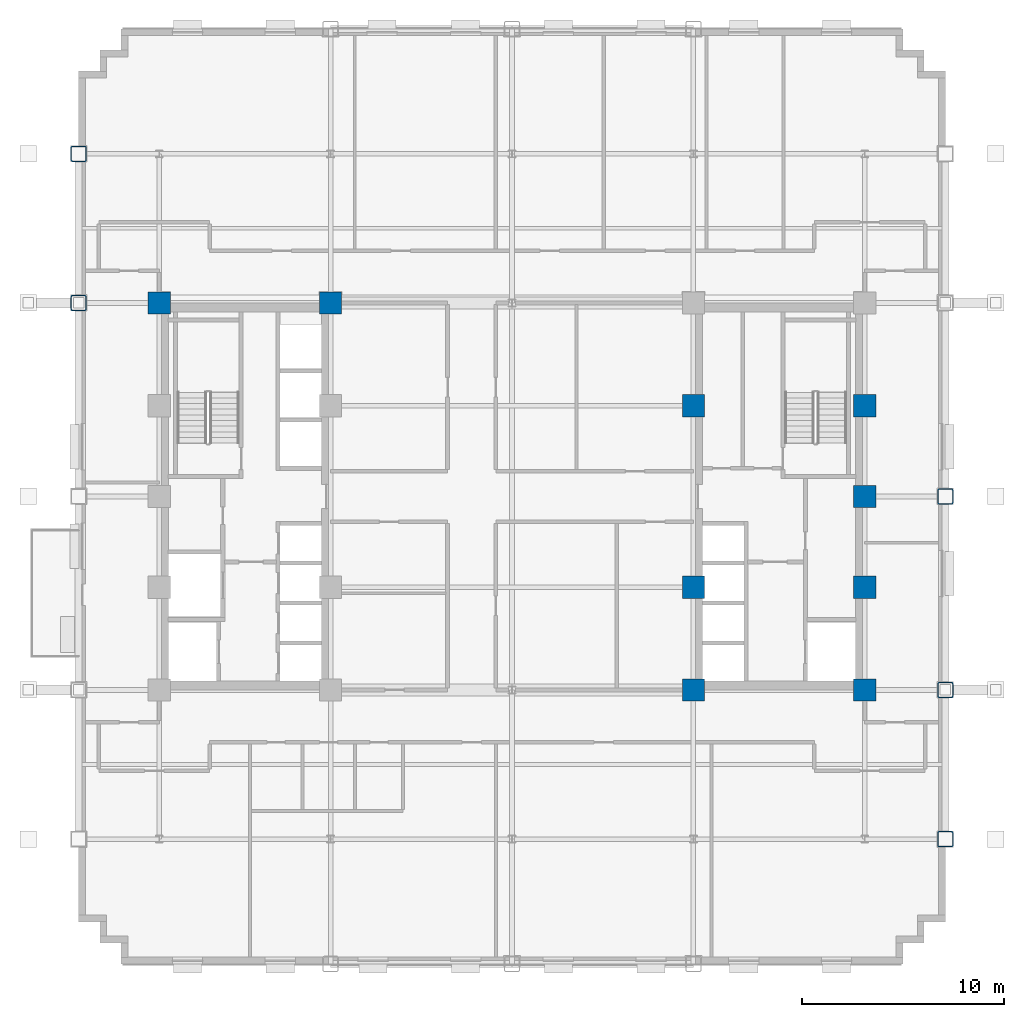
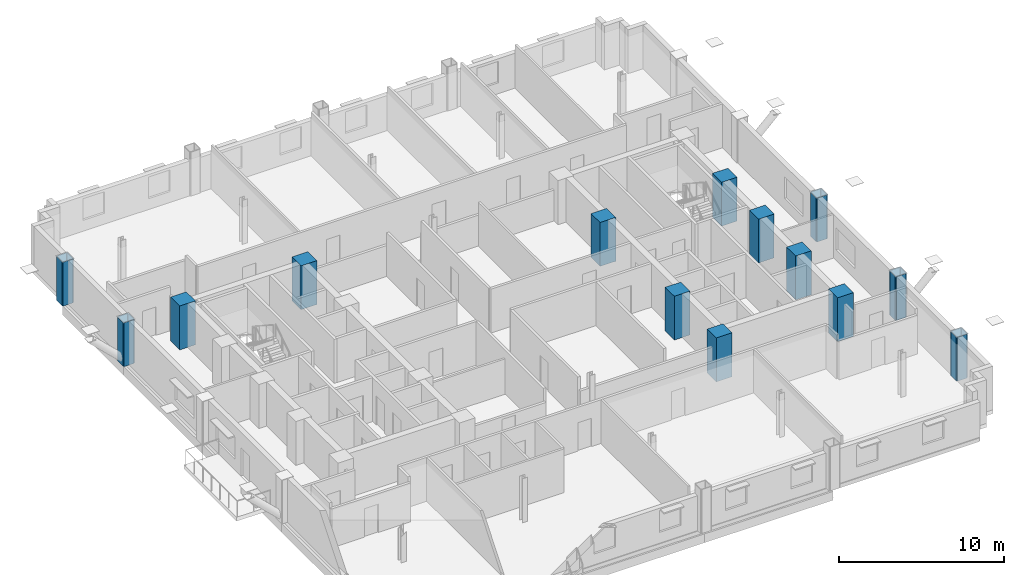
# One storey, part 2 of 13: 14 columns.
"""IFC4 building model written with IfcOpenShell, lengths in metres."""

from ifc_helpers import new_model, si_unit, direction, frame, origin, origin_2d, place, context, subcontext, project, spatial, rectangle, hollow_rectangle, extrude, material, material_profile, profile_set, type_object, element, save


model = new_model("IFC4")

# Units and contexts
model_context = context("Model", 3, precision=1e-05, world=origin(), true_north=direction((0.0, 1.0)))
body_context = subcontext(model_context, "Body", "Model", "MODEL_VIEW")
ifc_project = project(units=[si_unit("LENGTHUNIT", "METRE"), si_unit("AREAUNIT", "SQUARE_METRE"), si_unit("VOLUMEUNIT", "CUBIC_METRE"), si_unit("PLANEANGLEUNIT", "RADIAN"), si_unit("MASSUNIT", "GRAM", prefix="KILO")], contexts=[model_context])

# Site, building, storey
site_placement = place(None, origin())
site = spatial("IfcSite", under=ifc_project, at=site_placement, CompositionType="ELEMENT")
building_placement = place(site_placement, origin())
building = spatial("IfcBuilding", under=site, at=building_placement, Name="Nuvemarco Arch Tower", CompositionType="ELEMENT")
storey_placement = place(building_placement, frame((0.0, 0.0, 82.35009765625)))
storey = spatial("IfcBuildingStorey", under=building, at=storey_placement, Name="L21", CompositionType="ELEMENT", Elevation=82.35009765625)

# Columns
ifc_material_1 = material(Name="Concrete C60/75", Category="concrete")
ifc_material_profile_1 = material_profile(ifc_material_1, rectangle(XDim=1.10009765625, YDim=1.10009765625, at=origin_2d()), Name="RC-COL-1100x1100")
ifc_profile_set_1 = profile_set([ifc_material_profile_1], Name="Concrete C60/75")
column_type_1 = type_object("IfcColumnType", Name="COL-CORE-1100", PredefinedType="COLUMN", material=ifc_profile_set_1)
for number, where, z_axis, x_axis, name in (
    (1, (-17.5, 9.60009765625, 0.0), (0.0, 0.0, 1.0), (1.0, 0.0, 0.0), "L21 column CC_-17.5_+9.6"),
    (2, (-9.0, 9.60009765625, 0.0), (0.0, 0.0, 1.0), (1.0, 0.0, 0.0), "L21 column CC_-9.0_+9.6"),
    (3, (9.0, -9.60009765625, 0.0), (0.0, 0.0, 1.0), (1.0, 0.0, 0.0), "L21 column CC_+9.0_-9.6"),
    (4, (9.0, -4.5, 0.0), (0.0, 0.0, 1.0), (1.0, 0.0, 0.0), "L21 column CC_+9.0_-4.5"),
    (5, (9.0, 4.5, 0.0), (0.0, 0.0, 1.0), (1.0, 0.0, 0.0), "L21 column CC_+9.0_+4.5"),
    (6, (17.5, -9.60009765625, 0.0), (0.0, 0.0, 1.0), (1.0, 0.0, 0.0), "L21 column CC_+17.5_-9.6"),
    (7, (17.5, -4.5, 0.0), (0.0, 0.0, 1.0), (1.0, 0.0, 0.0), "L21 column CC_+17.5_-4.5"),
    (8, (17.5, 4.5, 0.0), (0.0, 0.0, 1.0), (1.0, 0.0, 0.0), "L21 column CC_+17.5_+4.5"),
    (9, (17.5, 0.0, 0.0), (0.0, 0.0, 1.0), (1.0, 0.0, 0.0), "L21 column CC_+17.5_+0.0"),
):
    element("IfcColumn", number, at=place(storey_placement, frame(where, z_axis=z_axis, x_axis=x_axis)), inside=storey, type_object=column_type_1, Name=name, PredefinedType="COLUMN", context=body_context, shape_type="SweptSolid", body=[
        extrude(rectangle(XDim=1.10009765625, YDim=1.10009765625, at=origin_2d()), origin(), (0.0, 0.0, 1.0), 3.25),
    ])
ifc_material_2 = material(Name="Steel S460", Category="steel")
ifc_material_profile_2 = material_profile(ifc_material_2, hollow_rectangle(XDim=0.800048828125, YDim=0.800048828125, WallThickness=0.054931640625, InnerFilletRadius=0.054931640625, OuterFilletRadius=0.110107421875, at=origin_2d()), Name="SHS800x800x55")
ifc_profile_set_2 = profile_set([ifc_material_profile_2], Name="Steel S460")
column_type_2 = type_object("IfcColumnType", Name="COL-EXO-800", PredefinedType="COLUMN", material=ifc_profile_set_2)
for number, where, z_axis, x_axis, name in (
    (10, (-21.5, 9.60009765625, 0.0), (0.0, 0.0, 1.0), (1.0, 0.0, 0.0), "L21 column CX_-21.5_+9.6"),
    (11, (-21.5, 17.0, 0.0), (0.0, 0.0, 1.0), (1.0, 0.0, 0.0), "L21 column CX_-21.5_+17.0"),
    (12, (21.5, -17.0, 0.0), (0.0, 0.0, 1.0), (1.0, 0.0, 0.0), "L21 column CX_+21.5_-17.0"),
    (13, (21.5, -9.60009765625, 0.0), (0.0, 0.0, 1.0), (1.0, 0.0, 0.0), "L21 column CX_+21.5_-9.6"),
    (14, (21.5, 0.0, 0.0), (0.0, 0.0, 1.0), (1.0, 0.0, 0.0), "L21 column CX_+21.5_+0.0"),
):
    element("IfcColumn", number, at=place(storey_placement, frame(where, z_axis=z_axis, x_axis=x_axis)), inside=storey, type_object=column_type_2, Name=name, PredefinedType="COLUMN", context=body_context, shape_type="SweptSolid", body=[
        extrude(hollow_rectangle(XDim=0.800048828125, YDim=0.800048828125, WallThickness=0.054931640625, InnerFilletRadius=0.054931640625, OuterFilletRadius=0.110107421875, at=origin_2d()), origin(), (0.0, 0.0, 1.0), 3.25),
    ])

save(model, "model.ifc")
